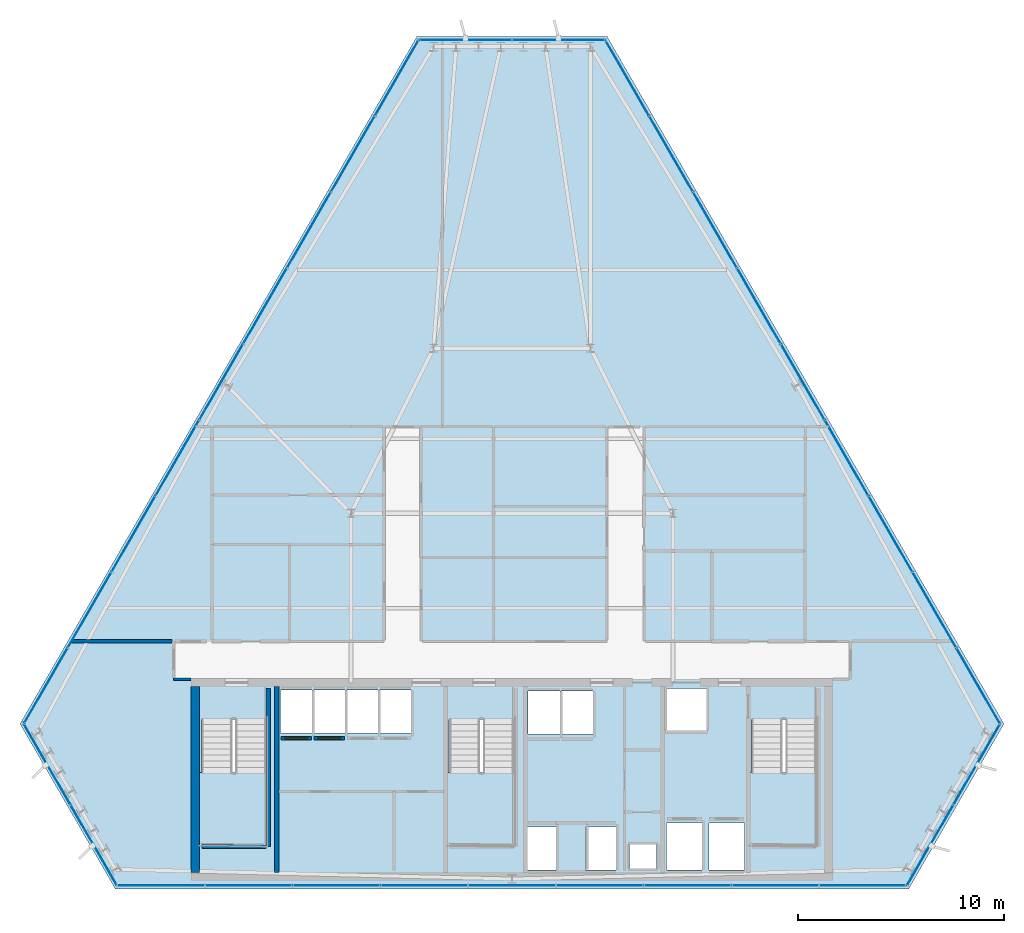
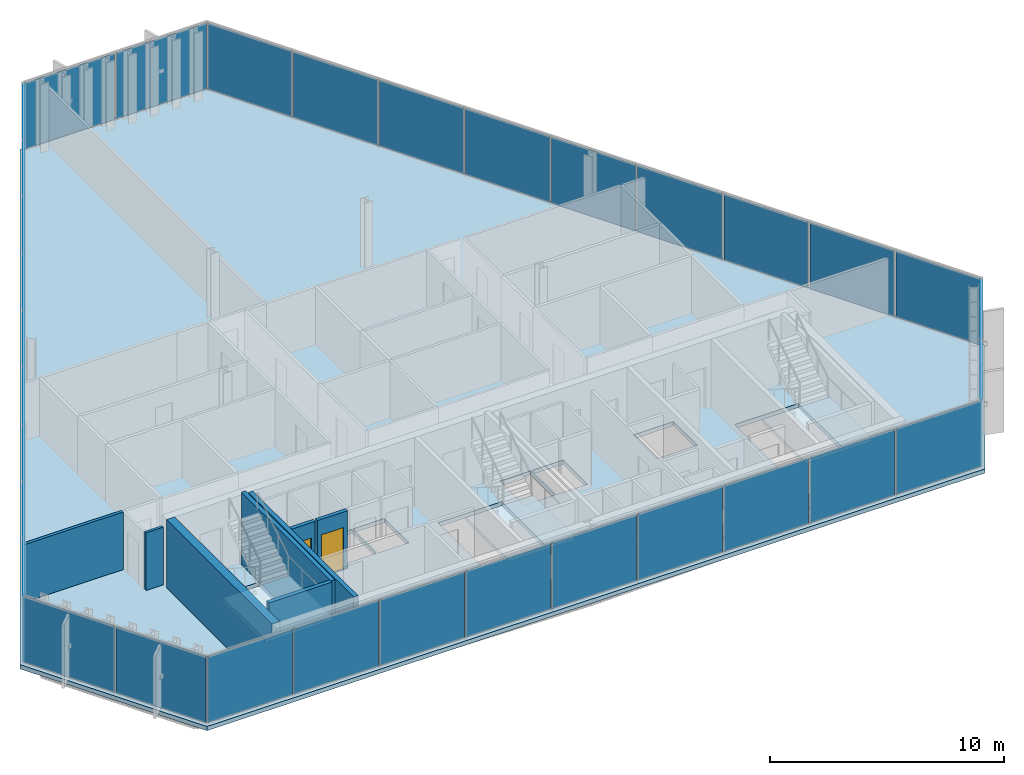
# One storey, part 26 of 34: 33 plates, 8 walls, 4 slabs, 2 doors, 2 openings, 9 elements without a shape of their own.
"""IFC4 building model written with IfcOpenShell, lengths in metres."""

from ifc_helpers import new_model, si_unit, direction, frame, frame_2d, origin, origin_2d, place, context, subcontext, project, spatial, polyline, rectangle, outline, extrude, material, layer, layer_set, type_object, element, fill, aggregate, save


model = new_model("IFC4")

# Units and contexts
model_context = context("Model", 3, precision=1e-05, world=origin(), true_north=direction((0.0, 1.0)))
body_context = subcontext(model_context, "Body", "Model", "MODEL_VIEW")
ifc_project = project(units=[si_unit("LENGTHUNIT", "METRE"), si_unit("AREAUNIT", "SQUARE_METRE"), si_unit("VOLUMEUNIT", "CUBIC_METRE"), si_unit("PLANEANGLEUNIT", "RADIAN"), si_unit("MASSUNIT", "GRAM", prefix="KILO")], contexts=[model_context])

# Site, building, storey
site_placement = place(None, origin())
site = spatial("IfcSite", under=ifc_project, at=site_placement, CompositionType="ELEMENT")
building_placement = place(site_placement, origin())
building = spatial("IfcBuilding", under=site, at=building_placement, Name="Ndaravel Arena Tower", CompositionType="ELEMENT")
storey_placement = place(building_placement, frame((0.0, 0.0, 195.39990234375)))
storey = spatial("IfcBuildingStorey", under=building, at=storey_placement, Name="L47", CompositionType="ELEMENT", Elevation=195.39990234375)

# Curtain wall, plate
ifc_material_1 = material(Name="Aluminium", Category="aluminium")
ifc_layer_1 = layer(ifc_material_1, 0.179931640625)
ifc_layer_set_1 = layer_set([ifc_layer_1], Name="Aluminium")
curtain_wall_type_1 = type_object("IfcCurtainWallType", Name="CW-SYS-01", PredefinedType="NOTDEFINED", material=ifc_layer_set_1)
curtain_wall_1_placement = place(storey_placement, origin())
curtain_wall_1 = element("IfcCurtainWall", 1, at=curtain_wall_1_placement, inside=storey, type_object=curtain_wall_type_1, Name="L47 Faceted Crystal Curtain Wall CW-L47-E02", PredefinedType="NOTDEFINED")
ifc_material_2 = material(Name="Glazing", Category="glass")
ifc_layer_2 = layer(ifc_material_2, 0.035888671875)
ifc_layer_set_2 = layer_set([ifc_layer_2], Name="Glazing")
plate_type_1 = type_object("IfcPlateType", Name="PLT-CW-OPVENT", PredefinedType="CURTAIN_PANEL", material=ifc_layer_set_2)
plate_1_placement = place(storey_placement, frame((64.52099609375, 11.03564453125, 0.06005859375), z_axis=(0.0, 0.0, 1.0), x_axis=(0.5, 0.866025403784, 0.0)))
plate_1 = element("IfcPlate", 2, at=plate_1_placement, type_object=plate_type_1, Name="CW-L47-E02 Operable Vent Sash Panel 02", PredefinedType="CURTAIN_PANEL", context=body_context, shape_type="SweptSolid", body=[
    extrude(rectangle(XDim=4.443115234375, YDim=0.035888671875, at=origin_2d()), origin(), (0.0, 0.0, 1.0), 3.4599609375),
])

curtain_wall_2_placement = place(storey_placement, origin())
curtain_wall_2 = element("IfcCurtainWall", 3, at=curtain_wall_2_placement, inside=storey, type_object=curtain_wall_type_1, Name="L47 Faceted Crystal Curtain Wall CW-L47-E04", PredefinedType="NOTDEFINED")
plate_2_placement = place(storey_placement, frame((39.738525390625, 46.1259765625, 0.06005859375), z_axis=(0.0, 0.0, 1.0), x_axis=(-1.0, 0.0, 0.0)))
plate_2 = element("IfcPlate", 4, at=plate_2_placement, type_object=plate_type_1, Name="CW-L47-E04 Operable Vent Sash Panel 02", PredefinedType="CURTAIN_PANEL", context=body_context, shape_type="SweptSolid", body=[
    extrude(rectangle(XDim=4.443115234375, YDim=0.035888671875, at=origin_2d()), origin(), (0.0, 0.0, 1.0), 3.4599609375),
])

ifc_material_3 = material(Name="Aluminium", Category="aluminium")
ifc_layer_3 = layer(ifc_material_3, 0.179931640625)
ifc_layer_set_3 = layer_set([ifc_layer_3], Name="Aluminium")
curtain_wall_type_2 = type_object("IfcCurtainWallType", Name="CW-SYS-02", PredefinedType="NOTDEFINED", material=ifc_layer_set_3)
curtain_wall_3_placement = place(storey_placement, origin())
curtain_wall_3 = element("IfcCurtainWall", 5, at=curtain_wall_3_placement, inside=storey, type_object=curtain_wall_type_2, Name="L47 Faceted Crystal Curtain Wall CW-L47-E06", PredefinedType="NOTDEFINED")
plate_3_placement = place(storey_placement, frame((21.740478515625, 7.118408203125, 0.06005859375), z_axis=(0.0, 0.0, 1.0), x_axis=(0.5, -0.866025403784, 0.0)))
plate_3 = element("IfcPlate", 6, at=plate_3_placement, type_object=plate_type_1, Name="CW-L47-E06 Operable Vent Sash Panel 02", PredefinedType="CURTAIN_PANEL", context=body_context, shape_type="SweptSolid", body=[
    extrude(rectangle(XDim=4.443115234375, YDim=0.035888671875, at=origin_2d()), origin(), (0.0, 0.0, 1.0), 3.4599609375),
])

# Plate
ifc_material_4 = material(Name="Glazing", Category="glass")
ifc_layer_4 = layer(ifc_material_4, 0.031982421875)
ifc_layer_set_4 = layer_set([ifc_layer_4], Name="Glazing")
plate_type_2 = type_object("IfcPlateType", Name="PLT-GLZ-FRIT35", PredefinedType="CURTAIN_PANEL", material=ifc_layer_set_4)
plate_4_placement = place(storey_placement, frame((62.259521484375, 7.118408203125, 0.06005859375), z_axis=(0.0, 0.0, 1.0), x_axis=(0.5, 0.866025403784, 0.0)))
plate_4 = element("IfcPlate", 7, at=plate_4_placement, type_object=plate_type_2, Name="CW-L47-E02 Vision Glass Panel 01", PredefinedType="CURTAIN_PANEL", context=body_context, shape_type="SweptSolid", body=[
    extrude(rectangle(XDim=4.443115234375, YDim=0.035888671875, at=origin_2d()), origin(), (0.0, 0.0, 1.0), 3.4599609375),
])

aggregate(curtain_wall_1, [plate_4, plate_1])

plate_5_placement = place(storey_placement, frame((44.261474609375, 46.1259765625, 0.06005859375), z_axis=(0.0, 0.0, 1.0), x_axis=(-1.0, 0.0, 0.0)))
plate_5 = element("IfcPlate", 8, at=plate_5_placement, type_object=plate_type_2, Name="CW-L47-E04 Vision Glass Panel 01", PredefinedType="CURTAIN_PANEL", context=body_context, shape_type="SweptSolid", body=[
    extrude(rectangle(XDim=4.443115234375, YDim=0.035888671875, at=origin_2d()), origin(), (0.0, 0.0, 1.0), 3.4599609375),
])

aggregate(curtain_wall_2, [plate_5, plate_2])

ifc_material_5 = material(Name="Glazing", Category="glass")
ifc_layer_5 = layer(ifc_material_5, 0.035888671875)
ifc_layer_set_5 = layer_set([ifc_layer_5], Name="Glazing")
plate_type_3 = type_object("IfcPlateType", Name="PLT-GLZ-FRIT55", PredefinedType="CURTAIN_PANEL", material=ifc_layer_set_5)
plate_6_placement = place(storey_placement, frame((19.47900390625, 11.03564453125, 0.06005859375), z_axis=(0.0, 0.0, 1.0), x_axis=(0.5, -0.866025403784, 0.0)))
plate_6 = element("IfcPlate", 9, at=plate_6_placement, type_object=plate_type_3, Name="CW-L47-E06 Vision Glass Panel 01", PredefinedType="CURTAIN_PANEL", context=body_context, shape_type="SweptSolid", body=[
    extrude(rectangle(XDim=4.443115234375, YDim=0.035888671875, at=origin_2d()), origin(), (0.0, 0.0, 1.0), 3.4599609375),
])

aggregate(curtain_wall_3, [plate_6, plate_3])

# Curtain wall, plates
ifc_material_6 = material(Name="Aluminium", Category="aluminium")
ifc_layer_6 = layer(ifc_material_6, 0.179931640625)
ifc_layer_set_6 = layer_set([ifc_layer_6], Name="Aluminium")
curtain_wall_type_3 = type_object("IfcCurtainWallType", Name="CW-SYS-03", PredefinedType="NOTDEFINED", material=ifc_layer_set_6)
curtain_wall_4_placement = place(storey_placement, origin())
curtain_wall_4 = element("IfcCurtainWall", 10, at=curtain_wall_4_placement, inside=storey, type_object=curtain_wall_type_3, Name="L47 Faceted Crystal Curtain Wall CW-L47-E01", PredefinedType="NOTDEFINED")
ifc_material_7 = material(Name="Glazing", Category="glass")
ifc_layer_7 = layer(ifc_material_7, 0.0400390625)
ifc_layer_set_7 = layer_set([ifc_layer_7], Name="Glazing")
plate_type_4 = type_object("IfcPlateType", Name="PLT-GLZ-LOWIRON", PredefinedType="CURTAIN_PANEL", material=ifc_layer_set_7)
plate_7_placement = place(storey_placement, frame((24.99658203125, 5.159912109375, 0.06005859375), z_axis=(0.0, 0.0, 1.0), x_axis=(1.0, 0.0, 0.0)))
plate_7 = element("IfcPlate", 11, at=plate_7_placement, type_object=plate_type_4, Name="CW-L47-E01 Vision Glass Panel 01", PredefinedType="CURTAIN_PANEL", context=body_context, shape_type="SweptSolid", body=[
    extrude(rectangle(XDim=4.1708984375, YDim=0.035888671875, at=origin_2d()), origin(), (0.0, 0.0, 1.0), 3.4599609375),
])
plate_8_placement = place(storey_placement, frame((29.24755859375, 5.159912109375, 0.06005859375), z_axis=(0.0, 0.0, 1.0), x_axis=(1.0, 0.0, 0.0)))
plate_8 = element("IfcPlate", 12, at=plate_8_placement, type_object=plate_type_4, Name="CW-L47-E01 Vision Glass Panel 02", PredefinedType="CURTAIN_PANEL", context=body_context, shape_type="SweptSolid", body=[
    extrude(rectangle(XDim=4.1708984375, YDim=0.035888671875, at=origin_2d()), origin(), (0.0, 0.0, 1.0), 3.4599609375),
])
plate_9_placement = place(storey_placement, frame((33.498291015625, 5.159912109375, 0.06005859375), z_axis=(0.0, 0.0, 1.0), x_axis=(1.0, 0.0, 0.0)))
plate_9 = element("IfcPlate", 13, at=plate_9_placement, type_object=plate_type_4, Name="CW-L47-E01 Vision Glass Panel 03", PredefinedType="CURTAIN_PANEL", context=body_context, shape_type="SweptSolid", body=[
    extrude(rectangle(XDim=4.1708984375, YDim=0.035888671875, at=origin_2d()), origin(), (0.0, 0.0, 1.0), 3.4599609375),
])
plate_10_placement = place(storey_placement, frame((37.749267578125, 5.159912109375, 0.06005859375), z_axis=(0.0, 0.0, 1.0), x_axis=(1.0, 0.0, 0.0)))
plate_10 = element("IfcPlate", 14, at=plate_10_placement, type_object=plate_type_4, Name="CW-L47-E01 Vision Glass Panel 04", PredefinedType="CURTAIN_PANEL", context=body_context, shape_type="SweptSolid", body=[
    extrude(rectangle(XDim=4.1708984375, YDim=0.035888671875, at=origin_2d()), origin(), (0.0, 0.0, 1.0), 3.4599609375),
])
plate_11_placement = place(storey_placement, frame((42.0, 5.159912109375, 0.06005859375), z_axis=(0.0, 0.0, 1.0), x_axis=(1.0, 0.0, 0.0)))
plate_11 = element("IfcPlate", 15, at=plate_11_placement, type_object=plate_type_4, Name="CW-L47-E01 Vision Glass Panel 05", PredefinedType="CURTAIN_PANEL", context=body_context, shape_type="SweptSolid", body=[
    extrude(rectangle(XDim=4.1708984375, YDim=0.035888671875, at=origin_2d()), origin(), (0.0, 0.0, 1.0), 3.4599609375),
])
plate_12_placement = place(storey_placement, frame((46.250732421875, 5.159912109375, 0.06005859375), z_axis=(0.0, 0.0, 1.0), x_axis=(1.0, 0.0, 0.0)))
plate_12 = element("IfcPlate", 16, at=plate_12_placement, type_object=plate_type_4, Name="CW-L47-E01 Vision Glass Panel 06", PredefinedType="CURTAIN_PANEL", context=body_context, shape_type="SweptSolid", body=[
    extrude(rectangle(XDim=4.1708984375, YDim=0.035888671875, at=origin_2d()), origin(), (0.0, 0.0, 1.0), 3.4599609375),
])
plate_13_placement = place(storey_placement, frame((50.501708984375, 5.159912109375, 0.06005859375), z_axis=(0.0, 0.0, 1.0), x_axis=(1.0, 0.0, 0.0)))
plate_13 = element("IfcPlate", 17, at=plate_13_placement, type_object=plate_type_4, Name="CW-L47-E01 Vision Glass Panel 07", PredefinedType="CURTAIN_PANEL", context=body_context, shape_type="SweptSolid", body=[
    extrude(rectangle(XDim=4.1708984375, YDim=0.035888671875, at=origin_2d()), origin(), (0.0, 0.0, 1.0), 3.4599609375),
])
plate_14_placement = place(storey_placement, frame((54.75244140625, 5.159912109375, 0.06005859375), z_axis=(0.0, 0.0, 1.0), x_axis=(1.0, 0.0, 0.0)))
plate_14 = element("IfcPlate", 18, at=plate_14_placement, type_object=plate_type_4, Name="CW-L47-E01 Vision Glass Panel 08", PredefinedType="CURTAIN_PANEL", context=body_context, shape_type="SweptSolid", body=[
    extrude(rectangle(XDim=4.1708984375, YDim=0.035888671875, at=origin_2d()), origin(), (0.0, 0.0, 1.0), 3.4599609375),
])
plate_15_placement = place(storey_placement, frame((59.00341796875, 5.159912109375, 0.06005859375), z_axis=(0.0, 0.0, 1.0), x_axis=(1.0, 0.0, 0.0)))
plate_15 = element("IfcPlate", 19, at=plate_15_placement, type_object=plate_type_4, Name="CW-L47-E01 Vision Glass Panel 09", PredefinedType="CURTAIN_PANEL", context=body_context, shape_type="SweptSolid", body=[
    extrude(rectangle(XDim=4.1708984375, YDim=0.035888671875, at=origin_2d()), origin(), (0.0, 0.0, 1.0), 3.4599609375),
])
aggregate(curtain_wall_4, [plate_7, plate_8, plate_9, plate_10, plate_11, plate_12, plate_13, plate_14, plate_15])

curtain_wall_5_placement = place(storey_placement, origin())
curtain_wall_5 = element("IfcCurtainWall", 20, at=curtain_wall_5_placement, inside=storey, type_object=curtain_wall_type_3, Name="L47 Faceted Crystal Curtain Wall CW-L47-E03", PredefinedType="NOTDEFINED")
plate_16_placement = place(storey_placement, frame((64.589111328125, 14.834716796875, 0.06005859375), z_axis=(0.0, 0.0, 1.0), x_axis=(-0.5, 0.866025403784, 0.0)))
plate_16 = element("IfcPlate", 21, at=plate_16_placement, type_object=plate_type_4, Name="CW-L47-E03 Vision Glass Panel 01", PredefinedType="CURTAIN_PANEL", context=body_context, shape_type="SweptSolid", body=[
    extrude(rectangle(XDim=4.1708984375, YDim=0.035888671875, at=origin_2d()), origin(), (0.0, 0.0, 1.0), 3.4599609375),
])
plate_17_placement = place(storey_placement, frame((62.463623046875, 18.51611328125, 0.06005859375), z_axis=(0.0, 0.0, 1.0), x_axis=(-0.5, 0.866025403784, 0.0)))
plate_17 = element("IfcPlate", 22, at=plate_17_placement, type_object=plate_type_4, Name="CW-L47-E03 Vision Glass Panel 02", PredefinedType="CURTAIN_PANEL", context=body_context, shape_type="SweptSolid", body=[
    extrude(rectangle(XDim=4.1708984375, YDim=0.035888671875, at=origin_2d()), origin(), (0.0, 0.0, 1.0), 3.4599609375),
])
plate_18_placement = place(storey_placement, frame((60.338134765625, 22.197509765625, 0.06005859375), z_axis=(0.0, 0.0, 1.0), x_axis=(-0.5, 0.866025403784, 0.0)))
plate_18 = element("IfcPlate", 23, at=plate_18_placement, type_object=plate_type_4, Name="CW-L47-E03 Vision Glass Panel 03", PredefinedType="CURTAIN_PANEL", context=body_context, shape_type="SweptSolid", body=[
    extrude(rectangle(XDim=4.1708984375, YDim=0.035888671875, at=origin_2d()), origin(), (0.0, 0.0, 1.0), 3.4599609375),
])
plate_19_placement = place(storey_placement, frame((58.212890625, 25.878662109375, 0.06005859375), z_axis=(0.0, 0.0, 1.0), x_axis=(-0.5, 0.866025403784, 0.0)))
plate_19 = element("IfcPlate", 24, at=plate_19_placement, type_object=plate_type_4, Name="CW-L47-E03 Vision Glass Panel 04", PredefinedType="CURTAIN_PANEL", context=body_context, shape_type="SweptSolid", body=[
    extrude(rectangle(XDim=4.1708984375, YDim=0.035888671875, at=origin_2d()), origin(), (0.0, 0.0, 1.0), 3.4599609375),
])
plate_20_placement = place(storey_placement, frame((56.08740234375, 29.56005859375, 0.06005859375), z_axis=(0.0, 0.0, 1.0), x_axis=(-0.5, 0.866025403784, 0.0)))
plate_20 = element("IfcPlate", 25, at=plate_20_placement, type_object=plate_type_4, Name="CW-L47-E03 Vision Glass Panel 05", PredefinedType="CURTAIN_PANEL", context=body_context, shape_type="SweptSolid", body=[
    extrude(rectangle(XDim=4.1708984375, YDim=0.035888671875, at=origin_2d()), origin(), (0.0, 0.0, 1.0), 3.4599609375),
])
plate_21_placement = place(storey_placement, frame((53.9619140625, 33.241455078125, 0.06005859375), z_axis=(0.0, 0.0, 1.0), x_axis=(-0.5, 0.866025403784, 0.0)))
plate_21 = element("IfcPlate", 26, at=plate_21_placement, type_object=plate_type_4, Name="CW-L47-E03 Vision Glass Panel 06", PredefinedType="CURTAIN_PANEL", context=body_context, shape_type="SweptSolid", body=[
    extrude(rectangle(XDim=4.1708984375, YDim=0.035888671875, at=origin_2d()), origin(), (0.0, 0.0, 1.0), 3.4599609375),
])
plate_22_placement = place(storey_placement, frame((51.83642578125, 36.922607421875, 0.06005859375), z_axis=(0.0, 0.0, 1.0), x_axis=(-0.5, 0.866025403784, 0.0)))
plate_22 = element("IfcPlate", 27, at=plate_22_placement, type_object=plate_type_4, Name="CW-L47-E03 Vision Glass Panel 07", PredefinedType="CURTAIN_PANEL", context=body_context, shape_type="SweptSolid", body=[
    extrude(rectangle(XDim=4.1708984375, YDim=0.035888671875, at=origin_2d()), origin(), (0.0, 0.0, 1.0), 3.4599609375),
])
plate_23_placement = place(storey_placement, frame((49.711181640625, 40.60400390625, 0.06005859375), z_axis=(0.0, 0.0, 1.0), x_axis=(-0.5, 0.866025403784, 0.0)))
plate_23 = element("IfcPlate", 28, at=plate_23_placement, type_object=plate_type_4, Name="CW-L47-E03 Vision Glass Panel 08", PredefinedType="CURTAIN_PANEL", context=body_context, shape_type="SweptSolid", body=[
    extrude(rectangle(XDim=4.1708984375, YDim=0.035888671875, at=origin_2d()), origin(), (0.0, 0.0, 1.0), 3.4599609375),
])
plate_24_placement = place(storey_placement, frame((47.585693359375, 44.285400390625, 0.06005859375), z_axis=(0.0, 0.0, 1.0), x_axis=(-0.5, 0.866025403784, 0.0)))
plate_24 = element("IfcPlate", 29, at=plate_24_placement, type_object=plate_type_4, Name="CW-L47-E03 Vision Glass Panel 09", PredefinedType="CURTAIN_PANEL", context=body_context, shape_type="SweptSolid", body=[
    extrude(rectangle(XDim=4.1708984375, YDim=0.035888671875, at=origin_2d()), origin(), (0.0, 0.0, 1.0), 3.4599609375),
])
aggregate(curtain_wall_5, [plate_16, plate_17, plate_18, plate_19, plate_20, plate_21, plate_22, plate_23, plate_24])

curtain_wall_6_placement = place(storey_placement, origin())
curtain_wall_6 = element("IfcCurtainWall", 30, at=curtain_wall_6_placement, inside=storey, type_object=curtain_wall_type_3, Name="L47 Faceted Crystal Curtain Wall CW-L47-E05", PredefinedType="NOTDEFINED")
plate_25_placement = place(storey_placement, frame((36.414306640625, 44.285400390625, 0.06005859375), z_axis=(0.0, 0.0, 1.0), x_axis=(-0.5, -0.866025403784, 0.0)))
plate_25 = element("IfcPlate", 31, at=plate_25_placement, type_object=plate_type_4, Name="CW-L47-E05 Vision Glass Panel 01", PredefinedType="CURTAIN_PANEL", context=body_context, shape_type="SweptSolid", body=[
    extrude(rectangle(XDim=4.1708984375, YDim=0.035888671875, at=origin_2d()), origin(), (0.0, 0.0, 1.0), 3.4599609375),
])
plate_26_placement = place(storey_placement, frame((34.288818359375, 40.60400390625, 0.06005859375), z_axis=(0.0, 0.0, 1.0), x_axis=(-0.5, -0.866025403784, 0.0)))
plate_26 = element("IfcPlate", 32, at=plate_26_placement, type_object=plate_type_4, Name="CW-L47-E05 Vision Glass Panel 02", PredefinedType="CURTAIN_PANEL", context=body_context, shape_type="SweptSolid", body=[
    extrude(rectangle(XDim=4.1708984375, YDim=0.035888671875, at=origin_2d()), origin(), (0.0, 0.0, 1.0), 3.4599609375),
])
plate_27_placement = place(storey_placement, frame((32.16357421875, 36.922607421875, 0.06005859375), z_axis=(0.0, 0.0, 1.0), x_axis=(-0.5, -0.866025403784, 0.0)))
plate_27 = element("IfcPlate", 33, at=plate_27_placement, type_object=plate_type_4, Name="CW-L47-E05 Vision Glass Panel 03", PredefinedType="CURTAIN_PANEL", context=body_context, shape_type="SweptSolid", body=[
    extrude(rectangle(XDim=4.1708984375, YDim=0.035888671875, at=origin_2d()), origin(), (0.0, 0.0, 1.0), 3.4599609375),
])
plate_28_placement = place(storey_placement, frame((30.0380859375, 33.241455078125, 0.06005859375), z_axis=(0.0, 0.0, 1.0), x_axis=(-0.5, -0.866025403784, 0.0)))
plate_28 = element("IfcPlate", 34, at=plate_28_placement, type_object=plate_type_4, Name="CW-L47-E05 Vision Glass Panel 04", PredefinedType="CURTAIN_PANEL", context=body_context, shape_type="SweptSolid", body=[
    extrude(rectangle(XDim=4.1708984375, YDim=0.035888671875, at=origin_2d()), origin(), (0.0, 0.0, 1.0), 3.4599609375),
])
plate_29_placement = place(storey_placement, frame((27.91259765625, 29.56005859375, 0.06005859375), z_axis=(0.0, 0.0, 1.0), x_axis=(-0.5, -0.866025403784, 0.0)))
plate_29 = element("IfcPlate", 35, at=plate_29_placement, type_object=plate_type_4, Name="CW-L47-E05 Vision Glass Panel 05", PredefinedType="CURTAIN_PANEL", context=body_context, shape_type="SweptSolid", body=[
    extrude(rectangle(XDim=4.1708984375, YDim=0.035888671875, at=origin_2d()), origin(), (0.0, 0.0, 1.0), 3.4599609375),
])
plate_30_placement = place(storey_placement, frame((25.787109375, 25.878662109375, 0.06005859375), z_axis=(0.0, 0.0, 1.0), x_axis=(-0.5, -0.866025403784, 0.0)))
plate_30 = element("IfcPlate", 36, at=plate_30_placement, type_object=plate_type_4, Name="CW-L47-E05 Vision Glass Panel 06", PredefinedType="CURTAIN_PANEL", context=body_context, shape_type="SweptSolid", body=[
    extrude(rectangle(XDim=4.1708984375, YDim=0.035888671875, at=origin_2d()), origin(), (0.0, 0.0, 1.0), 3.4599609375),
])
plate_31_placement = place(storey_placement, frame((23.661865234375, 22.197509765625, 0.06005859375), z_axis=(0.0, 0.0, 1.0), x_axis=(-0.5, -0.866025403784, 0.0)))
plate_31 = element("IfcPlate", 37, at=plate_31_placement, type_object=plate_type_4, Name="CW-L47-E05 Vision Glass Panel 07", PredefinedType="CURTAIN_PANEL", context=body_context, shape_type="SweptSolid", body=[
    extrude(rectangle(XDim=4.1708984375, YDim=0.035888671875, at=origin_2d()), origin(), (0.0, 0.0, 1.0), 3.4599609375),
])
plate_32_placement = place(storey_placement, frame((21.536376953125, 18.51611328125, 0.06005859375), z_axis=(0.0, 0.0, 1.0), x_axis=(-0.5, -0.866025403784, 0.0)))
plate_32 = element("IfcPlate", 38, at=plate_32_placement, type_object=plate_type_4, Name="CW-L47-E05 Vision Glass Panel 08", PredefinedType="CURTAIN_PANEL", context=body_context, shape_type="SweptSolid", body=[
    extrude(rectangle(XDim=4.1708984375, YDim=0.035888671875, at=origin_2d()), origin(), (0.0, 0.0, 1.0), 3.4599609375),
])
plate_33_placement = place(storey_placement, frame((19.410888671875, 14.834716796875, 0.06005859375), z_axis=(0.0, 0.0, 1.0), x_axis=(-0.5, -0.866025403784, 0.0)))
plate_33 = element("IfcPlate", 39, at=plate_33_placement, type_object=plate_type_4, Name="CW-L47-E05 Vision Glass Panel 09", PredefinedType="CURTAIN_PANEL", context=body_context, shape_type="SweptSolid", body=[
    extrude(rectangle(XDim=4.1708984375, YDim=0.035888671875, at=origin_2d()), origin(), (0.0, 0.0, 1.0), 3.4599609375),
])
aggregate(curtain_wall_6, [plate_25, plate_26, plate_27, plate_28, plate_29, plate_30, plate_31, plate_32, plate_33])

# Stair, slab
ifc_material_8 = material(Name="Concrete C40/50", Category="concrete")
stair_type = type_object("IfcStairType", Name="STAIR-CORE-HT", PredefinedType="HALF_TURN_STAIR", material=ifc_material_8)
stair_1_placement = place(storey_placement, origin())
stair_1 = element("IfcStair", 40, at=stair_1_placement, inside=storey, type_object=stair_type, Name="L47 ST-1", PredefinedType="HALF_TURN_STAIR")
ifc_material_9 = material(Name="Concrete C40/50", Category="concrete")
ifc_layer_8 = layer(ifc_material_9, 0.199951171875)
ifc_layer_set_8 = layer_set([ifc_layer_8], Name="Concrete C40/50")
slab_type_1 = type_object("IfcSlabType", Name="SLAB-STAIR-LANDING", PredefinedType="LANDING", material=ifc_layer_set_8)
slab_1_placement = place(storey_placement, frame((0.0, 0.0, 1.7001953125)))
slab_1 = element("IfcSlab", 41, at=slab_1_placement, type_object=slab_type_1, Name="ST-1 landing 1", PredefinedType="LANDING", context=body_context, shape_type="SweptSolid", body=[
    extrude(outline(polyline([(26.81005859375, 10.6298828125), (26.81005859375, 7.070068359375), (30.169921875, 7.070068359375), (30.169921875, 10.6298828125), (26.81005859375, 10.6298828125)])), origin(), (0.0, 0.0, 1.0), 0.199951171875),
])
aggregate(stair_1, [slab_1])

stair_2_placement = place(storey_placement, origin())
stair_2 = element("IfcStair", 42, at=stair_2_placement, inside=storey, type_object=stair_type, Name="L47 ST-2", PredefinedType="HALF_TURN_STAIR")
slab_2_placement = place(storey_placement, frame((0.0, 0.0, 1.7001953125)))
slab_2 = element("IfcSlab", 43, at=slab_2_placement, type_object=slab_type_1, Name="ST-2 landing 1", PredefinedType="LANDING", context=body_context, shape_type="SweptSolid", body=[
    extrude(outline(polyline([(38.81005859375, 10.6298828125), (38.81005859375, 7.070068359375), (42.169921875, 7.070068359375), (42.169921875, 10.6298828125), (38.81005859375, 10.6298828125)])), origin(), (0.0, 0.0, 1.0), 0.199951171875),
])
aggregate(stair_2, [slab_2])

stair_3_placement = place(storey_placement, origin())
stair_3 = element("IfcStair", 44, at=stair_3_placement, inside=storey, type_object=stair_type, Name="L47 ST-3", PredefinedType="HALF_TURN_STAIR")
slab_3_placement = place(storey_placement, frame((0.0, 0.0, 1.7001953125)))
slab_3 = element("IfcSlab", 45, at=slab_3_placement, type_object=slab_type_1, Name="ST-3 landing 1", PredefinedType="LANDING", context=body_context, shape_type="SweptSolid", body=[
    extrude(outline(polyline([(53.4599609375, 10.6298828125), (53.4599609375, 7.070068359375), (56.820068359375, 7.070068359375), (56.820068359375, 10.6298828125), (53.4599609375, 10.6298828125)])), origin(), (0.0, 0.0, 1.0), 0.199951171875),
])
aggregate(stair_3, [slab_3])

# Slab
ifc_material_10 = material(Name="Concrete C40/50", Category="concrete")
ifc_layer_9 = layer(ifc_material_10, 0.219970703125)
ifc_layer_set_9 = layer_set([ifc_layer_9], Name="Concrete C40/50")
slab_type_2 = type_object("IfcSlabType", Name="SLAB-TWR-220", PredefinedType="FLOOR", material=ifc_layer_set_9)
slab_4_placement = place(storey_placement, frame((0.0, 0.0, -0.219970703125)))
element("IfcSlab", 46, at=slab_4_placement, inside=storey, type_object=slab_type_2, Name="L47 Structural Floor Slab", PredefinedType="FLOOR", context=body_context, shape_type="SweptSolid", body=[
    extrude(outline(polyline([(18.16357421875, 12.994140625), (22.77880859375, 5.0), (61.22119140625, 5.0), (65.83642578125, 12.994140625), (46.615478515625, 46.285888671875), (37.384521484375, 46.285888671875), (18.16357421875, 12.994140625)]), holes=[polyline([(26.949951171875, 13.215087890625), (26.949951171875, 7.14990234375), (30.090087890625, 7.14990234375), (30.090087890625, 13.215087890625), (26.949951171875, 13.215087890625)]), polyline([(38.949951171875, 13.215087890625), (38.949951171875, 7.14990234375), (42.090087890625, 7.14990234375), (42.090087890625, 13.215087890625), (38.949951171875, 13.215087890625)]), polyline([(53.60009765625, 13.215087890625), (53.60009765625, 7.14990234375), (56.739990234375, 7.14990234375), (56.739990234375, 13.215087890625), (53.60009765625, 13.215087890625)]), polyline([(30.784912109375, 12.56005859375), (32.31494140625, 12.56005859375), (32.31494140625, 14.639892578125), (30.784912109375, 14.639892578125), (30.784912109375, 12.56005859375)]), polyline([(32.385009765625, 12.56005859375), (33.9150390625, 12.56005859375), (33.9150390625, 14.639892578125), (32.385009765625, 14.639892578125), (32.385009765625, 12.56005859375)]), polyline([(33.985107421875, 12.56005859375), (35.514892578125, 12.56005859375), (35.514892578125, 14.639892578125), (33.985107421875, 14.639892578125), (33.985107421875, 12.56005859375)]), polyline([(35.5849609375, 12.56005859375), (37.114990234375, 12.56005859375), (37.114990234375, 14.639892578125), (35.5849609375, 14.639892578125), (35.5849609375, 12.56005859375)]), polyline([(42.659912109375, 5.909912109375), (44.139892578125, 5.909912109375), (44.139892578125, 7.989990234375), (42.659912109375, 7.989990234375), (42.659912109375, 5.909912109375)]), polyline([(45.56005859375, 5.909912109375), (47.0400390625, 5.909912109375), (47.0400390625, 7.989990234375), (45.56005859375, 7.989990234375), (45.56005859375, 5.909912109375)]), polyline([(42.784912109375, 12.510009765625), (44.31494140625, 12.510009765625), (44.31494140625, 14.590087890625), (42.784912109375, 14.590087890625), (42.784912109375, 12.510009765625)]), polyline([(44.385009765625, 12.510009765625), (45.9150390625, 12.510009765625), (45.9150390625, 14.590087890625), (44.385009765625, 14.590087890625), (44.385009765625, 12.510009765625)]), polyline([(49.485107421875, 5.909912109375), (51.215087890625, 5.909912109375), (51.215087890625, 8.18994140625), (49.485107421875, 8.18994140625), (49.485107421875, 5.909912109375)]), polyline([(51.534912109375, 5.909912109375), (53.264892578125, 5.909912109375), (53.264892578125, 8.18994140625), (51.534912109375, 8.18994140625), (51.534912109375, 5.909912109375)]), polyline([(49.4599609375, 12.68505859375), (51.43994140625, 12.68505859375), (51.43994140625, 14.715087890625), (49.4599609375, 14.715087890625), (49.4599609375, 12.68505859375)]), polyline([(47.699951171875, 6.0), (49.0, 6.0), (49.0, 7.139892578125), (47.699951171875, 7.139892578125), (47.699951171875, 6.0)])]), origin(), (0.0, 0.0, 1.0), 0.219970703125),
])

# Walls
ifc_material_11 = material(Name="Concrete C50/60", Category="concrete")
ifc_layer_10 = layer(ifc_material_11, 0.219970703125)
ifc_layer_set_10 = layer_set([ifc_layer_10], Name="Concrete C50/60")
wall_type_1 = type_object("IfcWallType", Name="WALL-CORE-220", PredefinedType="SOLIDWALL", material=ifc_layer_set_10)
wall_1_placement = place(storey_placement, frame((30.60009765625, 5.800048828125, 0.0), z_axis=(0.0, 0.0, 1.0), x_axis=(0.0, 1.0, 0.0)))
element("IfcWall", 47, at=wall_1_placement, inside=storey, type_object=wall_type_1, Name="L47 Core Web Shear Wall 1", PredefinedType="SOLIDWALL", context=body_context, shape_type="SweptSolid", body=[
    extrude(rectangle(XDim=9.0, YDim=0.219970703125, at=frame_2d((4.5, 0.0))), origin(), (0.0, 0.0, 1.0), 3.580078125),
])
ifc_material_12 = material(Name="Concrete C50/60", Category="concrete")
ifc_layer_11 = layer(ifc_material_12, 0.39990234375)
ifc_layer_set_11 = layer_set([ifc_layer_11], Name="Concrete C50/60")
wall_type_2 = type_object("IfcWallType", Name="WALL-CORE-400", PredefinedType="SOLIDWALL", material=ifc_layer_set_11)
wall_2_placement = place(storey_placement, frame((26.64990234375, 5.800048828125, 0.0), z_axis=(0.0, 0.0, 1.0), x_axis=(0.0, 1.0, 0.0)))
element("IfcWall", 48, at=wall_2_placement, inside=storey, type_object=wall_type_2, Name="L47 Core West Shear Wall", PredefinedType="SOLIDWALL", context=body_context, shape_type="SweptSolid", body=[
    extrude(rectangle(XDim=9.0, YDim=0.39990234375, at=frame_2d((4.5, 0.0))), origin(), (0.0, 0.0, 1.0), 3.580078125),
])
ifc_material_13 = material(Name="Gypsum", Category="gypsum")
ifc_layer_12 = layer(ifc_material_13, 0.125)
ifc_layer_set_12 = layer_set([ifc_layer_12], Name="Gypsum")
wall_type_3 = type_object("IfcWallType", Name="WALL-PART-125", PredefinedType="PARTITIONING", material=ifc_layer_set_12)
wall_3_placement = place(storey_placement, frame((26.449951171875, 15.14990234375, 0.0), z_axis=(0.0, 0.0, 1.0), x_axis=(-1.0, 0.0, 0.0)))
element("IfcWall", 49, at=wall_3_placement, inside=storey, type_object=wall_type_3, Name="L47 Interior Partition 003", PredefinedType="PARTITIONING", context=body_context, shape_type="SweptSolid", body=[
    extrude(rectangle(XDim=0.849853515625, YDim=0.125, at=frame_2d((0.4248046875, 0.0))), origin(), (0.0, 0.0, 1.0), 3.010498046875),
])
ifc_material_14 = material(Name="Concrete C40/50", Category="concrete")
ifc_layer_13 = layer(ifc_material_14, 0.199951171875)
ifc_layer_set_13 = layer_set([ifc_layer_13], Name="Concrete C40/50")
wall_type_4 = type_object("IfcWallType", Name="WALL-SHAFT-200", PredefinedType="SOLIDWALL", material=ifc_layer_set_13)
wall_4_placement = place(storey_placement, frame((30.18994140625, 14.699951171875, 0.0), z_axis=(0.0, 0.0, 1.0), x_axis=(0.0, -1.0, 0.0)))
element("IfcWall", 50, at=wall_4_placement, inside=storey, type_object=wall_type_4, Name="L47 ST-1 Structural Shaft Wall Right", PredefinedType="SOLIDWALL", context=body_context, shape_type="SweptSolid", body=[
    extrude(rectangle(XDim=7.64990234375, YDim=0.199951171875, at=frame_2d((3.824951171875, 0.0))), origin(), (0.0, 0.0, 1.0), 3.800048828125),
])
wall_5_placement = place(storey_placement, frame((26.969970703125, 7.050048828125, 0.0), z_axis=(0.0, 0.0, 1.0), x_axis=(1.0, 0.0, 0.0)))
element("IfcWall", 51, at=wall_5_placement, inside=storey, type_object=wall_type_4, Name="L47 ST-1 Structural Shaft Wall Far", PredefinedType="SOLIDWALL", context=body_context, shape_type="SweptSolid", body=[
    extrude(rectangle(XDim=3.114990234375, YDim=0.199951171875, at=frame_2d((1.5576171875, 0.0))), origin(), (0.0, 0.0, 1.0), 3.800048828125),
])

# Wall, opening, door
wall_6_placement = place(storey_placement, frame((30.804931640625, 12.300048828125, 0.0), z_axis=(0.0, 0.0, 1.0), x_axis=(1.0, 0.0, 0.0)))
wall_6 = element("IfcWall", 52, at=wall_6_placement, inside=storey, type_object=wall_type_4, Name="L47 PL-M1 Shaft Landing Wall", PredefinedType="SOLIDWALL", context=body_context, shape_type="SweptSolid", body=[
    extrude(rectangle(XDim=1.489990234375, YDim=0.179931640625, at=frame_2d((0.7451171875, 0.0))), origin(), (0.0, 0.0, 1.0), 3.010498046875),
])
opening_1_placement = place(wall_6_placement, frame((0.195068359375, 0.0, 0.0)))
opening_1 = element("IfcOpeningElement", 53, at=opening_1_placement, cuts=wall_6, Name="Opening LD-01", PredefinedType="OPENING", context=body_context, shape_type="SweptSolid", body=[
    extrude(rectangle(XDim=1.10009765625, YDim=2.199951171875, at=frame_2d((0.550048828125, 1.10009765625))), frame((0.0, 0.08984375, 0.0), z_axis=(0.0, -1.0, 0.0), x_axis=(1.0, 0.0, 0.0)), (0.0, 0.0, 1.0), 0.179931640625),
])
ifc_material_15 = material(Name="Steel S355", Category="steel")
door_type = type_object("IfcDoorType", Name="DT-06-LIFT-1100", OperationType="SLIDING_TO_LEFT", PredefinedType="DOOR", material=ifc_material_15)
door_1_placement = place(opening_1_placement, origin())
door_1 = element("IfcDoor", 54, at=door_1_placement, inside=storey, type_object=door_type, Name="L47 Lift PL-M1 Sliding Landing Door", OperationType="SLIDING_TO_LEFT", OverallHeight=2.199951171875, OverallWidth=1.10009765625, PredefinedType="DOOR", context=body_context, shape_type="SweptSolid", body=[
    extrude(rectangle(XDim=1.10009765625, YDim=2.199951171875, at=frame_2d((0.550048828125, 1.10009765625))), frame((0.0, 0.02490234375, 0.0), z_axis=(0.0, -1.0, 0.0), x_axis=(1.0, 0.0, 0.0)), (0.0, 0.0, 1.0), 0.050048828125),
])
fill(opening_1, door_1)

wall_7_placement = place(storey_placement, frame((32.405029296875, 12.300048828125, 0.0), z_axis=(0.0, 0.0, 1.0), x_axis=(1.0, 0.0, 0.0)))
wall_7 = element("IfcWall", 55, at=wall_7_placement, inside=storey, type_object=wall_type_4, Name="L47 PL-M2 Shaft Landing Wall", PredefinedType="SOLIDWALL", context=body_context, shape_type="SweptSolid", body=[
    extrude(rectangle(XDim=1.489990234375, YDim=0.179931640625, at=frame_2d((0.7451171875, 0.0))), origin(), (0.0, 0.0, 1.0), 3.010498046875),
])
opening_2_placement = place(wall_7_placement, frame((0.195068359375, 0.0, 0.0)))
opening_2 = element("IfcOpeningElement", 56, at=opening_2_placement, cuts=wall_7, Name="Opening LD-01", PredefinedType="OPENING", context=body_context, shape_type="SweptSolid", body=[
    extrude(rectangle(XDim=1.10009765625, YDim=2.199951171875, at=frame_2d((0.550048828125, 1.10009765625))), frame((0.0, 0.08984375, 0.0), z_axis=(0.0, -1.0, 0.0), x_axis=(1.0, 0.0, 0.0)), (0.0, 0.0, 1.0), 0.179931640625),
])
door_2_placement = place(opening_2_placement, origin())
door_2 = element("IfcDoor", 57, at=door_2_placement, inside=storey, type_object=door_type, Name="L47 Lift PL-M2 Sliding Landing Door", OperationType="SLIDING_TO_LEFT", OverallHeight=2.199951171875, OverallWidth=1.10009765625, PredefinedType="DOOR", context=body_context, shape_type="SweptSolid", body=[
    extrude(rectangle(XDim=1.10009765625, YDim=2.199951171875, at=frame_2d((0.550048828125, 1.10009765625))), frame((0.0, 0.02490234375, 0.0), z_axis=(0.0, -1.0, 0.0), x_axis=(1.0, 0.0, 0.0)), (0.0, 0.0, 1.0), 0.050048828125),
])
fill(opening_2, door_2)

# Wall
ifc_material_16 = material(Name="Masonry", Category="masonry")
ifc_layer_14 = layer(ifc_material_16, 0.14990234375)
ifc_layer_set_14 = layer_set([ifc_layer_14], Name="Masonry")
wall_type_5 = type_object("IfcWallType", Name="WALL-WET-150", PredefinedType="PARTITIONING", material=ifc_layer_set_14)
wall_8_placement = place(storey_placement, frame((20.6611328125, 17.0, 0.0), z_axis=(0.0, 0.0, 1.0), x_axis=(1.0, 0.0, 0.0)))
element("IfcWall", 58, at=wall_8_placement, inside=storey, type_object=wall_type_5, Name="L47 Interior Partition 026", PredefinedType="PARTITIONING", context=body_context, shape_type="SweptSolid", body=[
    extrude(rectangle(XDim=4.873779296875, YDim=0.14990234375, at=frame_2d((2.43701171875, 0.0))), origin(), (0.0, 0.0, 1.0), 3.010498046875),
])

save(model, "model.ifc")
